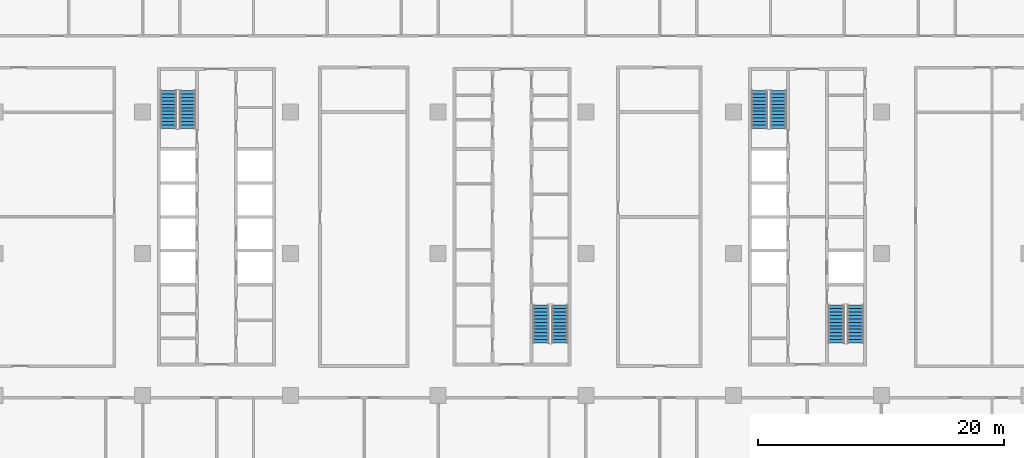
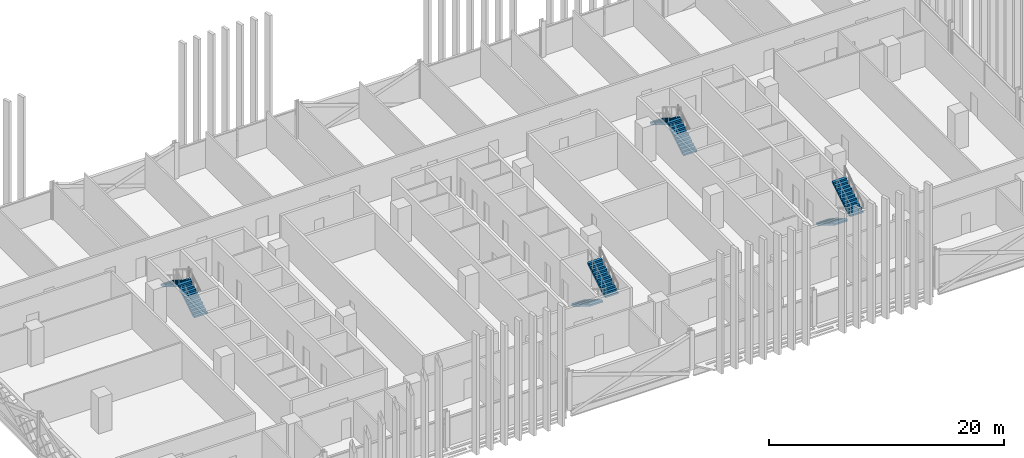
# One storey, part 19 of 32: 8 stair flights, 4 elements without a shape of their own.
"""IFC4 building model written with IfcOpenShell, lengths in metres."""

from ifc_helpers import new_model, si_unit, direction, frame, origin, place, context, subcontext, project, spatial, polyline, outline, extrude, material, type_object, element, aggregate, save


model = new_model("IFC4")

# Units and contexts
model_context = context("Model", 3, precision=1e-05, world=origin(), true_north=direction((0.0, 1.0)))
body_context = subcontext(model_context, "Body", "Model", "MODEL_VIEW")
ifc_project = project(units=[si_unit("LENGTHUNIT", "METRE"), si_unit("AREAUNIT", "SQUARE_METRE"), si_unit("VOLUMEUNIT", "CUBIC_METRE"), si_unit("PLANEANGLEUNIT", "RADIAN"), si_unit("MASSUNIT", "GRAM", prefix="KILO")], contexts=[model_context])

# Site, building, storey
site_placement = place(None, origin())
site = spatial("IfcSite", under=ifc_project, at=site_placement, CompositionType="ELEMENT")
building_placement = place(site_placement, origin())
building = spatial("IfcBuilding", under=site, at=building_placement, Name="Mahtab Terrace Research Tower", CompositionType="ELEMENT")
storey_placement = place(building_placement, frame((0.0, 0.0, 138.39990234375)))
storey = spatial("IfcBuildingStorey", under=building, at=storey_placement, Name="L32", CompositionType="ELEMENT", Elevation=138.39990234375)

# Stair, stair flights
ifc_material_1 = material(Name="Exit stair half-turn")
stair_type = type_object("IfcStairType", Name="Exit stair half-turn", PredefinedType="HALF_TURN_STAIR", material=ifc_material_1)
stair_1_placement = place(storey_placement, origin())
stair_1 = element("IfcStair", 1, at=stair_1_placement, inside=storey, type_object=stair_type, Name="L32 Protected exit stair ST1", PredefinedType="HALF_TURN_STAIR")
ifc_material_2 = material(Name="Concrete C40/50", Category="concrete")
stair_flight_type = type_object("IfcStairFlightType", Name="Exit stair flight 1300", PredefinedType="STRAIGHT", material=ifc_material_2)
stair_flight_1_placement = place(storey_placement, frame((-26.35009765625, 10.175048828125, 0.0), z_axis=(0.0, 0.0, 1.0), x_axis=(0.0, 1.0, 0.0)))
stair_flight_1 = element("IfcStairFlight", 2, at=stair_flight_1_placement, type_object=stair_flight_type, Name="ST1 flight 1", NumberOfRisers=12, NumberOfTreads=11, PredefinedType="STRAIGHT", RiserHeight=0.170833333, TreadLength=0.28, context=body_context, shape_type="SweptSolid", body=[
    extrude(outline(polyline([(0.0, 0.0), (0.0, 0.1708984375), (0.280029296875, 0.1708984375), (0.280029296875, 0.341552734375), (0.56005859375, 0.341552734375), (0.56005859375, 0.512451171875), (0.840087890625, 0.512451171875), (0.840087890625, 0.683349609375), (1.1201171875, 0.683349609375), (1.1201171875, 0.854248046875), (1.39990234375, 0.854248046875), (1.39990234375, 1.02490234375), (1.679931640625, 1.02490234375), (1.679931640625, 1.19580078125), (1.9599609375, 1.19580078125), (1.9599609375, 1.36669921875), (2.239990234375, 1.36669921875), (2.239990234375, 1.53759765625), (2.52001953125, 1.53759765625), (2.52001953125, 1.708251953125), (2.800048828125, 1.708251953125), (2.800048828125, 1.879150390625), (3.080078125, 1.879150390625), (3.080078125, 2.050048828125), (3.080078125, 1.70361328125), (0.287841796875, 0.0), (0.0, 0.0)])), frame((0.0, 0.64990234375, 0.0), z_axis=(0.0, -1.0, 0.0), x_axis=(1.0, 0.0, 0.0)), (0.0, 0.0, 1.0), 1.300048828125),
])
stair_flight_2_placement = place(storey_placement, frame((-27.89990234375, 13.2548828125, 2.050048828125), z_axis=(0.0, 0.0, 1.0), x_axis=(0.0, -1.0, 0.0)))
stair_flight_2 = element("IfcStairFlight", 3, at=stair_flight_2_placement, type_object=stair_flight_type, Name="ST1 flight 2", NumberOfRisers=12, NumberOfTreads=11, PredefinedType="STRAIGHT", RiserHeight=0.170833333, TreadLength=0.28, context=body_context, shape_type="SweptSolid", body=[
    extrude(outline(polyline([(0.0, 0.0), (0.0, 0.1708984375), (0.280029296875, 0.1708984375), (0.280029296875, 0.341552734375), (0.56005859375, 0.341552734375), (0.56005859375, 0.512451171875), (0.840087890625, 0.512451171875), (0.840087890625, 0.683349609375), (1.1201171875, 0.683349609375), (1.1201171875, 0.854248046875), (1.39990234375, 0.854248046875), (1.39990234375, 1.02490234375), (1.679931640625, 1.02490234375), (1.679931640625, 1.19580078125), (1.9599609375, 1.19580078125), (1.9599609375, 1.36669921875), (2.239990234375, 1.36669921875), (2.239990234375, 1.53759765625), (2.52001953125, 1.53759765625), (2.52001953125, 1.708251953125), (2.800048828125, 1.708251953125), (2.800048828125, 1.879150390625), (3.080078125, 1.879150390625), (3.080078125, 2.050048828125), (3.080078125, 1.70361328125), (0.287841796875, 0.0), (0.0, 0.0)])), frame((0.0, 0.64990234375, 0.0), z_axis=(0.0, -1.0, 0.0), x_axis=(1.0, 0.0, 0.0)), (0.0, 0.0, 1.0), 1.300048828125),
])
aggregate(stair_1, [stair_flight_1, stair_flight_2])

stair_2_placement = place(storey_placement, origin())
stair_2 = element("IfcStair", 4, at=stair_2_placement, inside=storey, type_object=stair_type, Name="L32 Protected exit stair ST2", PredefinedType="HALF_TURN_STAIR")
stair_flight_3_placement = place(storey_placement, frame((2.35009765625, -4.175048828125, 0.0), z_axis=(0.0, 0.0, 1.0), x_axis=(0.0, -1.0, 0.0)))
stair_flight_3 = element("IfcStairFlight", 5, at=stair_flight_3_placement, type_object=stair_flight_type, Name="ST2 flight 1", NumberOfRisers=12, NumberOfTreads=11, PredefinedType="STRAIGHT", RiserHeight=0.170833333, TreadLength=0.28, context=body_context, shape_type="SweptSolid", body=[
    extrude(outline(polyline([(0.0, 0.0), (0.0, 0.1708984375), (0.280029296875, 0.1708984375), (0.280029296875, 0.341552734375), (0.56005859375, 0.341552734375), (0.56005859375, 0.512451171875), (0.840087890625, 0.512451171875), (0.840087890625, 0.683349609375), (1.1201171875, 0.683349609375), (1.1201171875, 0.854248046875), (1.39990234375, 0.854248046875), (1.39990234375, 1.02490234375), (1.679931640625, 1.02490234375), (1.679931640625, 1.19580078125), (1.9599609375, 1.19580078125), (1.9599609375, 1.36669921875), (2.239990234375, 1.36669921875), (2.239990234375, 1.53759765625), (2.52001953125, 1.53759765625), (2.52001953125, 1.708251953125), (2.800048828125, 1.708251953125), (2.800048828125, 1.879150390625), (3.080078125, 1.879150390625), (3.080078125, 2.050048828125), (3.080078125, 1.70361328125), (0.287841796875, 0.0), (0.0, 0.0)])), frame((0.0, 0.64990234375, 0.0), z_axis=(0.0, -1.0, 0.0), x_axis=(1.0, 0.0, 0.0)), (0.0, 0.0, 1.0), 1.300048828125),
])
stair_flight_4_placement = place(storey_placement, frame((3.89990234375, -7.2548828125, 2.050048828125), z_axis=(0.0, 0.0, 1.0), x_axis=(0.0, 1.0, 0.0)))
stair_flight_4 = element("IfcStairFlight", 6, at=stair_flight_4_placement, type_object=stair_flight_type, Name="ST2 flight 2", NumberOfRisers=12, NumberOfTreads=11, PredefinedType="STRAIGHT", RiserHeight=0.170833333, TreadLength=0.28, context=body_context, shape_type="SweptSolid", body=[
    extrude(outline(polyline([(0.0, 0.0), (0.0, 0.1708984375), (0.280029296875, 0.1708984375), (0.280029296875, 0.341552734375), (0.56005859375, 0.341552734375), (0.56005859375, 0.512451171875), (0.840087890625, 0.512451171875), (0.840087890625, 0.683349609375), (1.1201171875, 0.683349609375), (1.1201171875, 0.854248046875), (1.39990234375, 0.854248046875), (1.39990234375, 1.02490234375), (1.679931640625, 1.02490234375), (1.679931640625, 1.19580078125), (1.9599609375, 1.19580078125), (1.9599609375, 1.36669921875), (2.239990234375, 1.36669921875), (2.239990234375, 1.53759765625), (2.52001953125, 1.53759765625), (2.52001953125, 1.708251953125), (2.800048828125, 1.708251953125), (2.800048828125, 1.879150390625), (3.080078125, 1.879150390625), (3.080078125, 2.050048828125), (3.080078125, 1.70361328125), (0.287841796875, 0.0), (0.0, 0.0)])), frame((0.0, 0.64990234375, 0.0), z_axis=(0.0, -1.0, 0.0), x_axis=(1.0, 0.0, 0.0)), (0.0, 0.0, 1.0), 1.300048828125),
])
aggregate(stair_2, [stair_flight_3, stair_flight_4])

stair_3_placement = place(storey_placement, origin())
stair_3 = element("IfcStair", 7, at=stair_3_placement, inside=storey, type_object=stair_type, Name="L32 Protected exit stair ST3", PredefinedType="HALF_TURN_STAIR")
stair_flight_5_placement = place(storey_placement, frame((21.64990234375, 10.175048828125, 0.0), z_axis=(0.0, 0.0, 1.0), x_axis=(0.0, 1.0, 0.0)))
stair_flight_5 = element("IfcStairFlight", 8, at=stair_flight_5_placement, type_object=stair_flight_type, Name="ST3 flight 1", NumberOfRisers=12, NumberOfTreads=11, PredefinedType="STRAIGHT", RiserHeight=0.170833333, TreadLength=0.28, context=body_context, shape_type="SweptSolid", body=[
    extrude(outline(polyline([(0.0, 0.0), (0.0, 0.1708984375), (0.280029296875, 0.1708984375), (0.280029296875, 0.341552734375), (0.56005859375, 0.341552734375), (0.56005859375, 0.512451171875), (0.840087890625, 0.512451171875), (0.840087890625, 0.683349609375), (1.1201171875, 0.683349609375), (1.1201171875, 0.854248046875), (1.39990234375, 0.854248046875), (1.39990234375, 1.02490234375), (1.679931640625, 1.02490234375), (1.679931640625, 1.19580078125), (1.9599609375, 1.19580078125), (1.9599609375, 1.36669921875), (2.239990234375, 1.36669921875), (2.239990234375, 1.53759765625), (2.52001953125, 1.53759765625), (2.52001953125, 1.708251953125), (2.800048828125, 1.708251953125), (2.800048828125, 1.879150390625), (3.080078125, 1.879150390625), (3.080078125, 2.050048828125), (3.080078125, 1.70361328125), (0.287841796875, 0.0), (0.0, 0.0)])), frame((0.0, 0.64990234375, 0.0), z_axis=(0.0, -1.0, 0.0), x_axis=(1.0, 0.0, 0.0)), (0.0, 0.0, 1.0), 1.300048828125),
])
stair_flight_6_placement = place(storey_placement, frame((20.10009765625, 13.2548828125, 2.050048828125), z_axis=(0.0, 0.0, 1.0), x_axis=(0.0, -1.0, 0.0)))
stair_flight_6 = element("IfcStairFlight", 9, at=stair_flight_6_placement, type_object=stair_flight_type, Name="ST3 flight 2", NumberOfRisers=12, NumberOfTreads=11, PredefinedType="STRAIGHT", RiserHeight=0.170833333, TreadLength=0.28, context=body_context, shape_type="SweptSolid", body=[
    extrude(outline(polyline([(0.0, 0.0), (0.0, 0.1708984375), (0.280029296875, 0.1708984375), (0.280029296875, 0.341552734375), (0.56005859375, 0.341552734375), (0.56005859375, 0.512451171875), (0.840087890625, 0.512451171875), (0.840087890625, 0.683349609375), (1.1201171875, 0.683349609375), (1.1201171875, 0.854248046875), (1.39990234375, 0.854248046875), (1.39990234375, 1.02490234375), (1.679931640625, 1.02490234375), (1.679931640625, 1.19580078125), (1.9599609375, 1.19580078125), (1.9599609375, 1.36669921875), (2.239990234375, 1.36669921875), (2.239990234375, 1.53759765625), (2.52001953125, 1.53759765625), (2.52001953125, 1.708251953125), (2.800048828125, 1.708251953125), (2.800048828125, 1.879150390625), (3.080078125, 1.879150390625), (3.080078125, 2.050048828125), (3.080078125, 1.70361328125), (0.287841796875, 0.0), (0.0, 0.0)])), frame((0.0, 0.64990234375, 0.0), z_axis=(0.0, -1.0, 0.0), x_axis=(1.0, 0.0, 0.0)), (0.0, 0.0, 1.0), 1.300048828125),
])
aggregate(stair_3, [stair_flight_5, stair_flight_6])

stair_4_placement = place(storey_placement, origin())
stair_4 = element("IfcStair", 10, at=stair_4_placement, inside=storey, type_object=stair_type, Name="L32 Protected exit stair ST4", PredefinedType="HALF_TURN_STAIR")
stair_flight_7_placement = place(storey_placement, frame((26.35009765625, -4.175048828125, 0.0), z_axis=(0.0, 0.0, 1.0), x_axis=(0.0, -1.0, 0.0)))
stair_flight_7 = element("IfcStairFlight", 11, at=stair_flight_7_placement, type_object=stair_flight_type, Name="ST4 flight 1", NumberOfRisers=12, NumberOfTreads=11, PredefinedType="STRAIGHT", RiserHeight=0.170833333, TreadLength=0.28, context=body_context, shape_type="SweptSolid", body=[
    extrude(outline(polyline([(0.0, 0.0), (0.0, 0.1708984375), (0.280029296875, 0.1708984375), (0.280029296875, 0.341552734375), (0.56005859375, 0.341552734375), (0.56005859375, 0.512451171875), (0.840087890625, 0.512451171875), (0.840087890625, 0.683349609375), (1.1201171875, 0.683349609375), (1.1201171875, 0.854248046875), (1.39990234375, 0.854248046875), (1.39990234375, 1.02490234375), (1.679931640625, 1.02490234375), (1.679931640625, 1.19580078125), (1.9599609375, 1.19580078125), (1.9599609375, 1.36669921875), (2.239990234375, 1.36669921875), (2.239990234375, 1.53759765625), (2.52001953125, 1.53759765625), (2.52001953125, 1.708251953125), (2.800048828125, 1.708251953125), (2.800048828125, 1.879150390625), (3.080078125, 1.879150390625), (3.080078125, 2.050048828125), (3.080078125, 1.70361328125), (0.287841796875, 0.0), (0.0, 0.0)])), frame((0.0, 0.64990234375, 0.0), z_axis=(0.0, -1.0, 0.0), x_axis=(1.0, 0.0, 0.0)), (0.0, 0.0, 1.0), 1.300048828125),
])
stair_flight_8_placement = place(storey_placement, frame((27.89990234375, -7.2548828125, 2.050048828125), z_axis=(0.0, 0.0, 1.0), x_axis=(0.0, 1.0, 0.0)))
stair_flight_8 = element("IfcStairFlight", 12, at=stair_flight_8_placement, type_object=stair_flight_type, Name="ST4 flight 2", NumberOfRisers=12, NumberOfTreads=11, PredefinedType="STRAIGHT", RiserHeight=0.170833333, TreadLength=0.28, context=body_context, shape_type="SweptSolid", body=[
    extrude(outline(polyline([(0.0, 0.0), (0.0, 0.1708984375), (0.280029296875, 0.1708984375), (0.280029296875, 0.341552734375), (0.56005859375, 0.341552734375), (0.56005859375, 0.512451171875), (0.840087890625, 0.512451171875), (0.840087890625, 0.683349609375), (1.1201171875, 0.683349609375), (1.1201171875, 0.854248046875), (1.39990234375, 0.854248046875), (1.39990234375, 1.02490234375), (1.679931640625, 1.02490234375), (1.679931640625, 1.19580078125), (1.9599609375, 1.19580078125), (1.9599609375, 1.36669921875), (2.239990234375, 1.36669921875), (2.239990234375, 1.53759765625), (2.52001953125, 1.53759765625), (2.52001953125, 1.708251953125), (2.800048828125, 1.708251953125), (2.800048828125, 1.879150390625), (3.080078125, 1.879150390625), (3.080078125, 2.050048828125), (3.080078125, 1.70361328125), (0.287841796875, 0.0), (0.0, 0.0)])), frame((0.0, 0.64990234375, 0.0), z_axis=(0.0, -1.0, 0.0), x_axis=(1.0, 0.0, 0.0)), (0.0, 0.0, 1.0), 1.300048828125),
])
aggregate(stair_4, [stair_flight_7, stair_flight_8])

save(model, "model.ifc")
